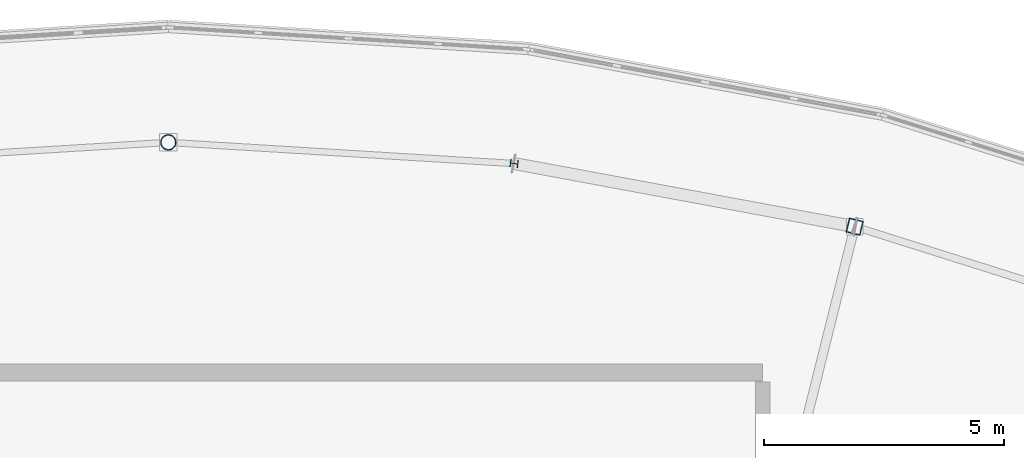
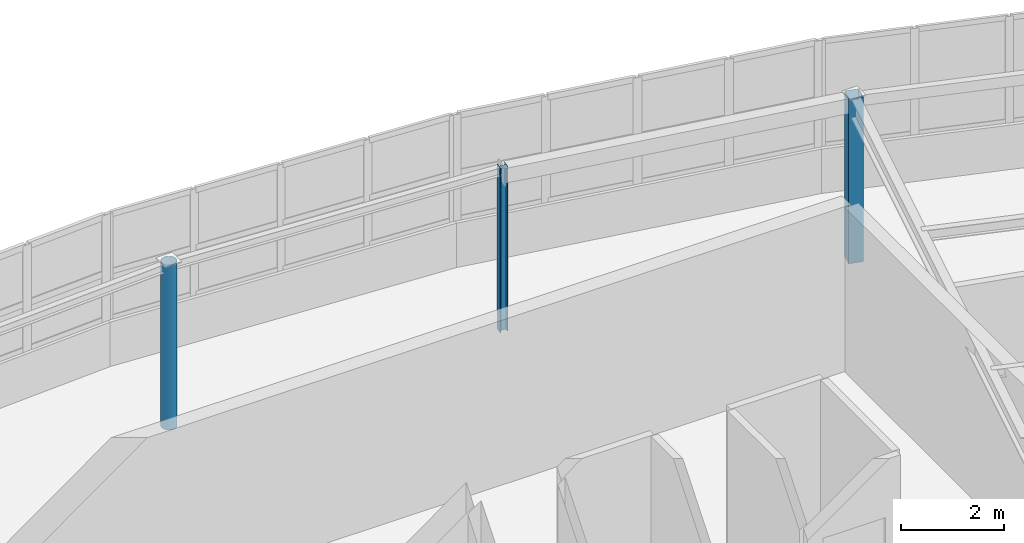
# One storey, part 3 of 26: 3 columns.
"""IFC4 building model written with IfcOpenShell, lengths in metres."""

from ifc_helpers import new_model, si_unit, direction, frame, origin, origin_2d, place, context, subcontext, project, spatial, hollow_rectangle, hollow_circle, i_section, extrude, material, material_profile, profile_set, type_object, element, save


model = new_model("IFC4")

# Units and contexts
model_context = context("Model", 3, precision=1e-05, world=origin(), true_north=direction((0.0, 1.0)))
body_context = subcontext(model_context, "Body", "Model", "MODEL_VIEW")
ifc_project = project(units=[si_unit("LENGTHUNIT", "METRE"), si_unit("AREAUNIT", "SQUARE_METRE"), si_unit("VOLUMEUNIT", "CUBIC_METRE"), si_unit("PLANEANGLEUNIT", "RADIAN"), si_unit("MASSUNIT", "GRAM", prefix="KILO")], contexts=[model_context])

# Site, building, storey
site_placement = place(None, origin())
site = spatial("IfcSite", under=ifc_project, at=site_placement, CompositionType="ELEMENT")
building_placement = place(site_placement, origin())
building = spatial("IfcBuilding", under=site, at=building_placement, Name="Tarnwether General Hospital", CompositionType="ELEMENT")
storey_placement = place(building_placement, frame((0.0, 0.0, 30.0)))
storey = spatial("IfcBuildingStorey", under=building, at=storey_placement, Name="L07", CompositionType="ELEMENT", Elevation=30.0)

# Columns
ifc_material_1 = material(Name="Steel Grade C350L0 (350 MPa)", Category="steel")
ifc_material_profile_1 = material_profile(ifc_material_1, hollow_circle(Radius=0.161865234375, WallThickness=0.0126953125, at=origin_2d()), Name="CHS323.9x12.7")
ifc_profile_set_1 = profile_set([ifc_material_profile_1], Name="Steel Grade C350L0 (350 MPa)")
column_type_1 = type_object("IfcColumnType", Name="COL-26", PredefinedType="COLUMN", material=ifc_profile_set_1)
column_1_placement = place(storey_placement, frame((92.0, 122.199951171875, 0.0), z_axis=(0.0, 0.0, 1.0), x_axis=(0.0, 1.0, 0.0)))
element("IfcColumn", 1, at=column_1_placement, inside=storey, type_object=column_type_1, Name="Column COLG-L07-9200_12220", PredefinedType="COLUMN", context=body_context, shape_type="SweptSolid", body=[
    extrude(hollow_circle(Radius=0.161865234375, WallThickness=0.0126953125, at=origin_2d()), origin(), (0.0, 0.0, 1.0), 3.89990234375),
])
ifc_material_2 = material(Name="Steel Grade 350 (350 MPa)", Category="steel")
ifc_material_profile_2 = material_profile(ifc_material_2, i_section(OverallWidth=0.154052734375, OverallDepth=0.162109375, WebThickness=0.008056640625, FlangeThickness=0.011474609375, at=origin_2d()), Name="150UC37.2")
ifc_profile_set_2 = profile_set([ifc_material_profile_2], Name="Steel Grade 350 (350 MPa)")
column_type_2 = type_object("IfcColumnType", Name="COL-28", PredefinedType="COLUMN", material=ifc_profile_set_2)
column_2_placement = place(storey_placement, frame((99.215087890625, 121.759033203125, 0.0), z_axis=(0.0, 0.0, 1.0), x_axis=(0.121869343405, 0.992546151641, 0.0)))
element("IfcColumn", 2, at=column_2_placement, inside=storey, type_object=column_type_2, Name="Column COLG-L07-9922_12176", PredefinedType="COLUMN", context=body_context, shape_type="SweptSolid", body=[
    extrude(i_section(OverallWidth=0.154052734375, OverallDepth=0.162109375, WebThickness=0.008056640625, FlangeThickness=0.011474609375, at=origin_2d()), origin(), (0.0, 0.0, 1.0), 3.89990234375),
])
ifc_material_3 = material(Name="Steel Grade C350L0 (350 MPa)", Category="steel")
ifc_material_profile_3 = material_profile(ifc_material_3, hollow_rectangle(XDim=0.300048828125, YDim=0.300048828125, WallThickness=0.012451171875, at=origin_2d()), Name="SHS300x300x12.5")
ifc_profile_set_3 = profile_set([ifc_material_profile_3], Name="Steel Grade C350L0 (350 MPa)")
column_type_3 = type_object("IfcColumnType", Name="COL-30", PredefinedType="COLUMN", material=ifc_profile_set_3)
column_3_placement = place(storey_placement, frame((106.322021484375, 120.44189453125, 0.0), z_axis=(0.0, 0.0, 1.0), x_axis=(0.2419218956, 0.970295726276, 0.0)))
element("IfcColumn", 3, at=column_3_placement, inside=storey, type_object=column_type_3, Name="Column COLG-L07-10632_12044", PredefinedType="COLUMN", context=body_context, shape_type="SweptSolid", body=[
    extrude(hollow_rectangle(XDim=0.300048828125, YDim=0.300048828125, WallThickness=0.012451171875, at=origin_2d()), origin(), (0.0, 0.0, 1.0), 3.89990234375),
])

save(model, "model.ifc")
